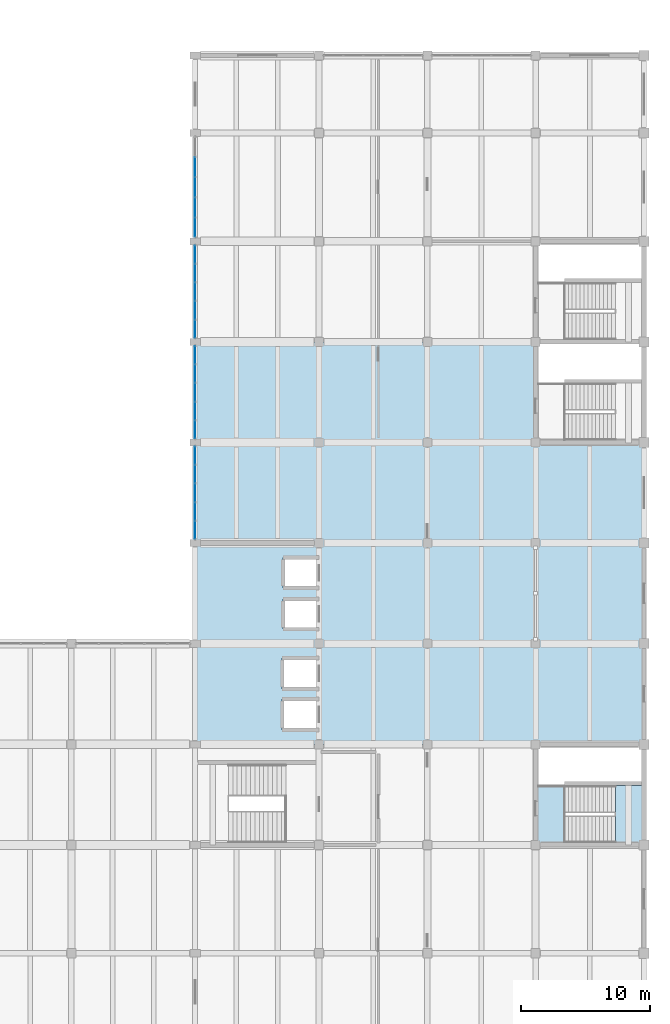
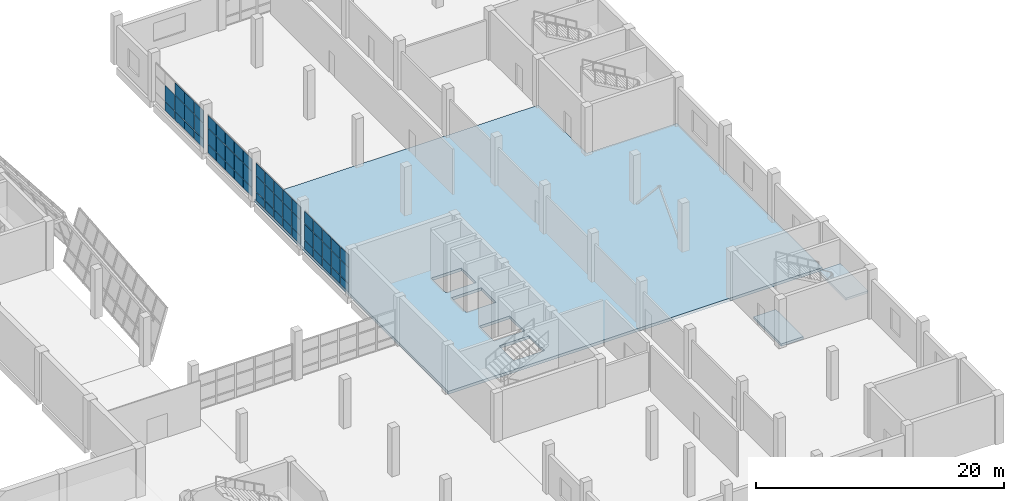
# One storey, part 73 of 91: 56 plates, 3 slabs, 5 elements without a shape of their own.
"""IFC4 building model written with IfcOpenShell, lengths in metres."""

from ifc_helpers import new_model, si_unit, direction, frame, origin, place, context, subcontext, project, spatial, polyline, outline, extrude, material, layer, layer_set, type_object, element, aggregate, save


model = new_model("IFC4")

# Units and contexts
model_context = context("Model", 3, precision=1e-05, world=origin(), true_north=direction((0.0, 1.0)))
body_context = subcontext(model_context, "Body", "Model", "MODEL_VIEW")
ifc_project = project(units=[si_unit("LENGTHUNIT", "METRE"), si_unit("AREAUNIT", "SQUARE_METRE"), si_unit("VOLUMEUNIT", "CUBIC_METRE"), si_unit("PLANEANGLEUNIT", "RADIAN"), si_unit("MASSUNIT", "GRAM", prefix="KILO")], contexts=[model_context])

# Site, building, storey
site_placement = place(None, origin())
site = spatial("IfcSite", under=ifc_project, at=site_placement, CompositionType="ELEMENT")
building_placement = place(site_placement, origin())
building = spatial("IfcBuilding", under=site, at=building_placement, Name="Pellamere Symphony Hall", CompositionType="ELEMENT")
storey_placement = place(building_placement, frame((0.0, 0.0, 5.39990234375)))
storey = spatial("IfcBuildingStorey", under=building, at=storey_placement, Name="L01", CompositionType="ELEMENT", Elevation=5.39990234375)

# Curtain wall, plates
ifc_material_1 = material(Name="Thermally Broken Anodised Aluminium 6063-T6 Curtain Wall", Category="aluminium")
curtain_wall_type = type_object("IfcCurtainWallType", Name="Curtain Wall CW-05 (Artists Wing North Studio Ribbon Curtain Wall)", PredefinedType="NOTDEFINED", material=ifc_material_1)
curtain_wall_1_placement = place(storey_placement, origin())
curtain_wall_1 = element("IfcCurtainWall", 1, at=curtain_wall_1_placement, inside=storey, type_object=curtain_wall_type, Name="Sculpture Court East Wing Curtain Wall (L01 Bay 1)", PredefinedType="NOTDEFINED")
ifc_material_2 = material(Name="Triple Low-E Argon Acoustic Glazing 36mm", Category="glass")
ifc_layer_1 = layer(ifc_material_2, 0.035888671875, Name="Triple Low-E Argon Acoustic Glazing 36mm")
ifc_layer_set_1 = layer_set([ifc_layer_1], Name="Triple Low-E Argon Acoustic Glazing 36mm")
plate_type = type_object("IfcPlateType", Name="Facade Panel GL-01 36mm", PredefinedType="CURTAIN_PANEL", material=ifc_layer_set_1)
plate_1_placement = place(storey_placement, frame((138.0, 62.135009765625, 0.06005859375), z_axis=(1.0, 0.0, 0.0), x_axis=(0.0, 1.0, 0.0)))
plate_1 = element("IfcPlate", 2, at=plate_1_placement, type_object=plate_type, Name="CW5-132 crystal glass panel 1.1", PredefinedType="CURTAIN_PANEL", context=body_context, shape_type="SweptSolid", body=[
    extrude(outline(polyline([(0.0, 0.0), (1.360107421875, 0.0), (1.360107421875, 0.822021484375), (0.0, 0.822021484375), (0.0, 0.0)])), origin(), (0.0, 0.0, -1.0), 0.035888671875),
])
plate_2_placement = place(storey_placement, frame((138.0, 62.135009765625, 0.942138671875), z_axis=(1.0, 0.0, 0.0), x_axis=(0.0, 1.0, 0.0)))
plate_2 = element("IfcPlate", 3, at=plate_2_placement, type_object=plate_type, Name="CW5-132 crystal glass panel 1.2", PredefinedType="CURTAIN_PANEL", context=body_context, shape_type="SweptSolid", body=[
    extrude(outline(polyline([(0.0, 0.0), (1.360107421875, 0.0), (1.360107421875, 1.535888671875), (0.0, 1.535888671875), (0.0, 0.0)])), origin(), (0.0, 0.0, -1.0), 0.035888671875),
])
plate_3_placement = place(storey_placement, frame((138.0, 62.135009765625, 2.5380859375), z_axis=(1.0, 0.0, 0.0), x_axis=(0.0, 1.0, 0.0)))
plate_3 = element("IfcPlate", 4, at=plate_3_placement, type_object=plate_type, Name="CW5-132 crystal glass panel 1.3", PredefinedType="CURTAIN_PANEL", context=body_context, shape_type="SweptSolid", body=[
    extrude(outline(polyline([(0.0, 0.0), (1.360107421875, 0.0), (1.360107421875, 1.201904296875), (0.0, 1.201904296875), (0.0, 0.0)])), origin(), (0.0, 0.0, -1.0), 0.035888671875),
])
plate_4_placement = place(storey_placement, frame((138.0, 63.554931640625, 0.06005859375), z_axis=(1.0, 0.0, 0.0), x_axis=(0.0, 1.0, 0.0)))
plate_4 = element("IfcPlate", 5, at=plate_4_placement, type_object=plate_type, Name="CW5-132 crystal glass panel 2.1", PredefinedType="CURTAIN_PANEL", context=body_context, shape_type="SweptSolid", body=[
    extrude(outline(polyline([(0.0, 0.0), (1.39013671875, 0.0), (1.39013671875, 0.822021484375), (0.0, 0.822021484375), (0.0, 0.0)])), origin(), (0.0, 0.0, -1.0), 0.035888671875),
])
plate_5_placement = place(storey_placement, frame((138.0, 63.554931640625, 0.942138671875), z_axis=(1.0, 0.0, 0.0), x_axis=(0.0, 1.0, 0.0)))
plate_5 = element("IfcPlate", 6, at=plate_5_placement, type_object=plate_type, Name="CW5-132 crystal glass panel 2.2", PredefinedType="CURTAIN_PANEL", context=body_context, shape_type="SweptSolid", body=[
    extrude(outline(polyline([(0.0, 0.0), (1.39013671875, 0.0), (1.39013671875, 1.535888671875), (0.0, 1.535888671875), (0.0, 0.0)])), origin(), (0.0, 0.0, -1.0), 0.035888671875),
])
plate_6_placement = place(storey_placement, frame((138.0, 63.554931640625, 2.5380859375), z_axis=(1.0, 0.0, 0.0), x_axis=(0.0, 1.0, 0.0)))
plate_6 = element("IfcPlate", 7, at=plate_6_placement, type_object=plate_type, Name="CW5-132 crystal glass panel 2.3", PredefinedType="CURTAIN_PANEL", context=body_context, shape_type="SweptSolid", body=[
    extrude(outline(polyline([(0.0, 0.0), (1.39013671875, 0.0), (1.39013671875, 1.201904296875), (0.0, 1.201904296875), (0.0, 0.0)])), origin(), (0.0, 0.0, -1.0), 0.035888671875),
])
plate_7_placement = place(storey_placement, frame((138.0, 65.0048828125, 0.06005859375), z_axis=(1.0, 0.0, 0.0), x_axis=(0.0, 1.0, 0.0)))
plate_7 = element("IfcPlate", 8, at=plate_7_placement, type_object=plate_type, Name="CW5-132 crystal glass panel 3.1", PredefinedType="CURTAIN_PANEL", context=body_context, shape_type="SweptSolid", body=[
    extrude(outline(polyline([(0.0, 0.0), (1.39013671875, 0.0), (1.39013671875, 0.822021484375), (0.0, 0.822021484375), (0.0, 0.0)])), origin(), (0.0, 0.0, -1.0), 0.035888671875),
])
plate_8_placement = place(storey_placement, frame((138.0, 65.0048828125, 0.942138671875), z_axis=(1.0, 0.0, 0.0), x_axis=(0.0, 1.0, 0.0)))
plate_8 = element("IfcPlate", 9, at=plate_8_placement, type_object=plate_type, Name="CW5-132 crystal glass panel 3.2", PredefinedType="CURTAIN_PANEL", context=body_context, shape_type="SweptSolid", body=[
    extrude(outline(polyline([(0.0, 0.0), (1.39013671875, 0.0), (1.39013671875, 1.535888671875), (0.0, 1.535888671875), (0.0, 0.0)])), origin(), (0.0, 0.0, -1.0), 0.035888671875),
])
plate_9_placement = place(storey_placement, frame((138.0, 65.0048828125, 2.5380859375), z_axis=(1.0, 0.0, 0.0), x_axis=(0.0, 1.0, 0.0)))
plate_9 = element("IfcPlate", 10, at=plate_9_placement, type_object=plate_type, Name="CW5-132 crystal glass panel 3.3", PredefinedType="CURTAIN_PANEL", context=body_context, shape_type="SweptSolid", body=[
    extrude(outline(polyline([(0.0, 0.0), (1.39013671875, 0.0), (1.39013671875, 1.201904296875), (0.0, 1.201904296875), (0.0, 0.0)])), origin(), (0.0, 0.0, -1.0), 0.035888671875),
])
plate_10_placement = place(storey_placement, frame((138.0, 66.455078125, 0.06005859375), z_axis=(1.0, 0.0, 0.0), x_axis=(0.0, 1.0, 0.0)))
plate_10 = element("IfcPlate", 11, at=plate_10_placement, type_object=plate_type, Name="CW5-132 crystal glass panel 4.1", PredefinedType="CURTAIN_PANEL", context=body_context, shape_type="SweptSolid", body=[
    extrude(outline(polyline([(0.0, 0.0), (1.389892578125, 0.0), (1.389892578125, 0.822021484375), (0.0, 0.822021484375), (0.0, 0.0)])), origin(), (0.0, 0.0, -1.0), 0.035888671875),
])
plate_11_placement = place(storey_placement, frame((138.0, 66.455078125, 0.942138671875), z_axis=(1.0, 0.0, 0.0), x_axis=(0.0, 1.0, 0.0)))
plate_11 = element("IfcPlate", 12, at=plate_11_placement, type_object=plate_type, Name="CW5-132 crystal glass panel 4.2", PredefinedType="CURTAIN_PANEL", context=body_context, shape_type="SweptSolid", body=[
    extrude(outline(polyline([(0.0, 0.0), (1.389892578125, 0.0), (1.389892578125, 1.535888671875), (0.0, 1.535888671875), (0.0, 0.0)])), origin(), (0.0, 0.0, -1.0), 0.035888671875),
])
plate_12_placement = place(storey_placement, frame((138.0, 66.455078125, 2.5380859375), z_axis=(1.0, 0.0, 0.0), x_axis=(0.0, 1.0, 0.0)))
plate_12 = element("IfcPlate", 13, at=plate_12_placement, type_object=plate_type, Name="CW5-132 crystal glass panel 4.3", PredefinedType="CURTAIN_PANEL", context=body_context, shape_type="SweptSolid", body=[
    extrude(outline(polyline([(0.0, 0.0), (1.389892578125, 0.0), (1.389892578125, 1.201904296875), (0.0, 1.201904296875), (0.0, 0.0)])), origin(), (0.0, 0.0, -1.0), 0.035888671875),
])
plate_13_placement = place(storey_placement, frame((138.0, 67.905029296875, 0.06005859375), z_axis=(1.0, 0.0, 0.0), x_axis=(0.0, 1.0, 0.0)))
plate_13 = element("IfcPlate", 14, at=plate_13_placement, type_object=plate_type, Name="CW5-132 crystal glass panel 5.1", PredefinedType="CURTAIN_PANEL", context=body_context, shape_type="SweptSolid", body=[
    extrude(outline(polyline([(0.0, 0.0), (1.35986328125, 0.0), (1.35986328125, 0.822021484375), (0.0, 0.822021484375), (0.0, 0.0)])), origin(), (0.0, 0.0, -1.0), 0.035888671875),
])
plate_14_placement = place(storey_placement, frame((138.0, 67.905029296875, 0.942138671875), z_axis=(1.0, 0.0, 0.0), x_axis=(0.0, 1.0, 0.0)))
plate_14 = element("IfcPlate", 15, at=plate_14_placement, type_object=plate_type, Name="CW5-132 crystal glass panel 5.2", PredefinedType="CURTAIN_PANEL", context=body_context, shape_type="SweptSolid", body=[
    extrude(outline(polyline([(0.0, 0.0), (1.35986328125, 0.0), (1.35986328125, 1.535888671875), (0.0, 1.535888671875), (0.0, 0.0)])), origin(), (0.0, 0.0, -1.0), 0.035888671875),
])
plate_15_placement = place(storey_placement, frame((138.0, 67.905029296875, 2.5380859375), z_axis=(1.0, 0.0, 0.0), x_axis=(0.0, 1.0, 0.0)))
plate_15 = element("IfcPlate", 16, at=plate_15_placement, type_object=plate_type, Name="CW5-132 crystal glass panel 5.3", PredefinedType="CURTAIN_PANEL", context=body_context, shape_type="SweptSolid", body=[
    extrude(outline(polyline([(0.0, 0.0), (1.35986328125, 0.0), (1.35986328125, 1.201904296875), (0.0, 1.201904296875), (0.0, 0.0)])), origin(), (0.0, 0.0, -1.0), 0.035888671875),
])
aggregate(curtain_wall_1, [plate_1, plate_2, plate_3, plate_4, plate_5, plate_6, plate_7, plate_8, plate_9, plate_10, plate_11, plate_12, plate_13, plate_14, plate_15])

curtain_wall_2_placement = place(storey_placement, origin())
curtain_wall_2 = element("IfcCurtainWall", 17, at=curtain_wall_2_placement, inside=storey, type_object=curtain_wall_type, Name="Sculpture Court East Wing Curtain Wall (L01 Bay 2)", PredefinedType="NOTDEFINED")
plate_16_placement = place(storey_placement, frame((138.0, 69.93505859375, 0.06005859375), z_axis=(1.0, 0.0, 0.0), x_axis=(0.0, 1.0, 0.0)))
plate_16 = element("IfcPlate", 18, at=plate_16_placement, type_object=plate_type, Name="CW5-133 crystal glass panel 1.1", PredefinedType="CURTAIN_PANEL", context=body_context, shape_type="SweptSolid", body=[
    extrude(outline(polyline([(0.0, 0.0), (1.35986328125, 0.0), (1.35986328125, 0.822021484375), (0.0, 0.822021484375), (0.0, 0.0)])), origin(), (0.0, 0.0, -1.0), 0.035888671875),
])
plate_17_placement = place(storey_placement, frame((138.0, 69.93505859375, 0.942138671875), z_axis=(1.0, 0.0, 0.0), x_axis=(0.0, 1.0, 0.0)))
plate_17 = element("IfcPlate", 19, at=plate_17_placement, type_object=plate_type, Name="CW5-133 crystal glass panel 1.2", PredefinedType="CURTAIN_PANEL", context=body_context, shape_type="SweptSolid", body=[
    extrude(outline(polyline([(0.0, 0.0), (1.35986328125, 0.0), (1.35986328125, 1.535888671875), (0.0, 1.535888671875), (0.0, 0.0)])), origin(), (0.0, 0.0, -1.0), 0.035888671875),
])
plate_18_placement = place(storey_placement, frame((138.0, 69.93505859375, 2.5380859375), z_axis=(1.0, 0.0, 0.0), x_axis=(0.0, 1.0, 0.0)))
plate_18 = element("IfcPlate", 20, at=plate_18_placement, type_object=plate_type, Name="CW5-133 crystal glass panel 1.3", PredefinedType="CURTAIN_PANEL", context=body_context, shape_type="SweptSolid", body=[
    extrude(outline(polyline([(0.0, 0.0), (1.35986328125, 0.0), (1.35986328125, 1.201904296875), (0.0, 1.201904296875), (0.0, 0.0)])), origin(), (0.0, 0.0, -1.0), 0.035888671875),
])
plate_19_placement = place(storey_placement, frame((138.0, 71.35498046875, 0.06005859375), z_axis=(1.0, 0.0, 0.0), x_axis=(0.0, 1.0, 0.0)))
plate_19 = element("IfcPlate", 21, at=plate_19_placement, type_object=plate_type, Name="CW5-133 crystal glass panel 2.1", PredefinedType="CURTAIN_PANEL", context=body_context, shape_type="SweptSolid", body=[
    extrude(outline(polyline([(0.0, 0.0), (1.39013671875, 0.0), (1.39013671875, 0.822021484375), (0.0, 0.822021484375), (0.0, 0.0)])), origin(), (0.0, 0.0, -1.0), 0.035888671875),
])
plate_20_placement = place(storey_placement, frame((138.0, 71.35498046875, 0.942138671875), z_axis=(1.0, 0.0, 0.0), x_axis=(0.0, 1.0, 0.0)))
plate_20 = element("IfcPlate", 22, at=plate_20_placement, type_object=plate_type, Name="CW5-133 crystal glass panel 2.2", PredefinedType="CURTAIN_PANEL", context=body_context, shape_type="SweptSolid", body=[
    extrude(outline(polyline([(0.0, 0.0), (1.39013671875, 0.0), (1.39013671875, 1.535888671875), (0.0, 1.535888671875), (0.0, 0.0)])), origin(), (0.0, 0.0, -1.0), 0.035888671875),
])
plate_21_placement = place(storey_placement, frame((138.0, 71.35498046875, 2.5380859375), z_axis=(1.0, 0.0, 0.0), x_axis=(0.0, 1.0, 0.0)))
plate_21 = element("IfcPlate", 23, at=plate_21_placement, type_object=plate_type, Name="CW5-133 crystal glass panel 2.3", PredefinedType="CURTAIN_PANEL", context=body_context, shape_type="SweptSolid", body=[
    extrude(outline(polyline([(0.0, 0.0), (1.39013671875, 0.0), (1.39013671875, 1.201904296875), (0.0, 1.201904296875), (0.0, 0.0)])), origin(), (0.0, 0.0, -1.0), 0.035888671875),
])
plate_22_placement = place(storey_placement, frame((138.0, 72.804931640625, 0.06005859375), z_axis=(1.0, 0.0, 0.0), x_axis=(0.0, 1.0, 0.0)))
plate_22 = element("IfcPlate", 24, at=plate_22_placement, type_object=plate_type, Name="CW5-133 crystal glass panel 3.1", PredefinedType="CURTAIN_PANEL", context=body_context, shape_type="SweptSolid", body=[
    extrude(outline(polyline([(0.0, 0.0), (1.39013671875, 0.0), (1.39013671875, 0.822021484375), (0.0, 0.822021484375), (0.0, 0.0)])), origin(), (0.0, 0.0, -1.0), 0.035888671875),
])
plate_23_placement = place(storey_placement, frame((138.0, 72.804931640625, 0.942138671875), z_axis=(1.0, 0.0, 0.0), x_axis=(0.0, 1.0, 0.0)))
plate_23 = element("IfcPlate", 25, at=plate_23_placement, type_object=plate_type, Name="CW5-133 crystal glass panel 3.2", PredefinedType="CURTAIN_PANEL", context=body_context, shape_type="SweptSolid", body=[
    extrude(outline(polyline([(0.0, 0.0), (1.39013671875, 0.0), (1.39013671875, 1.535888671875), (0.0, 1.535888671875), (0.0, 0.0)])), origin(), (0.0, 0.0, -1.0), 0.035888671875),
])
plate_24_placement = place(storey_placement, frame((138.0, 72.804931640625, 2.5380859375), z_axis=(1.0, 0.0, 0.0), x_axis=(0.0, 1.0, 0.0)))
plate_24 = element("IfcPlate", 26, at=plate_24_placement, type_object=plate_type, Name="CW5-133 crystal glass panel 3.3", PredefinedType="CURTAIN_PANEL", context=body_context, shape_type="SweptSolid", body=[
    extrude(outline(polyline([(0.0, 0.0), (1.39013671875, 0.0), (1.39013671875, 1.201904296875), (0.0, 1.201904296875), (0.0, 0.0)])), origin(), (0.0, 0.0, -1.0), 0.035888671875),
])
plate_25_placement = place(storey_placement, frame((138.0, 74.2548828125, 0.06005859375), z_axis=(1.0, 0.0, 0.0), x_axis=(0.0, 1.0, 0.0)))
plate_25 = element("IfcPlate", 27, at=plate_25_placement, type_object=plate_type, Name="CW5-133 crystal glass panel 4.1", PredefinedType="CURTAIN_PANEL", context=body_context, shape_type="SweptSolid", body=[
    extrude(outline(polyline([(0.0, 0.0), (1.39013671875, 0.0), (1.39013671875, 0.822021484375), (0.0, 0.822021484375), (0.0, 0.0)])), origin(), (0.0, 0.0, -1.0), 0.035888671875),
])
plate_26_placement = place(storey_placement, frame((138.0, 74.2548828125, 0.942138671875), z_axis=(1.0, 0.0, 0.0), x_axis=(0.0, 1.0, 0.0)))
plate_26 = element("IfcPlate", 28, at=plate_26_placement, type_object=plate_type, Name="CW5-133 crystal glass panel 4.2", PredefinedType="CURTAIN_PANEL", context=body_context, shape_type="SweptSolid", body=[
    extrude(outline(polyline([(0.0, 0.0), (1.39013671875, 0.0), (1.39013671875, 1.535888671875), (0.0, 1.535888671875), (0.0, 0.0)])), origin(), (0.0, 0.0, -1.0), 0.035888671875),
])
plate_27_placement = place(storey_placement, frame((138.0, 74.2548828125, 2.5380859375), z_axis=(1.0, 0.0, 0.0), x_axis=(0.0, 1.0, 0.0)))
plate_27 = element("IfcPlate", 29, at=plate_27_placement, type_object=plate_type, Name="CW5-133 crystal glass panel 4.3", PredefinedType="CURTAIN_PANEL", context=body_context, shape_type="SweptSolid", body=[
    extrude(outline(polyline([(0.0, 0.0), (1.39013671875, 0.0), (1.39013671875, 1.201904296875), (0.0, 1.201904296875), (0.0, 0.0)])), origin(), (0.0, 0.0, -1.0), 0.035888671875),
])
plate_28_placement = place(storey_placement, frame((138.0, 75.705078125, 0.06005859375), z_axis=(1.0, 0.0, 0.0), x_axis=(0.0, 1.0, 0.0)))
plate_28 = element("IfcPlate", 30, at=plate_28_placement, type_object=plate_type, Name="CW5-133 crystal glass panel 5.1", PredefinedType="CURTAIN_PANEL", context=body_context, shape_type="SweptSolid", body=[
    extrude(outline(polyline([(0.0, 0.0), (1.35986328125, 0.0), (1.35986328125, 0.822021484375), (0.0, 0.822021484375), (0.0, 0.0)])), origin(), (0.0, 0.0, -1.0), 0.035888671875),
])
plate_29_placement = place(storey_placement, frame((138.0, 75.705078125, 0.942138671875), z_axis=(1.0, 0.0, 0.0), x_axis=(0.0, 1.0, 0.0)))
plate_29 = element("IfcPlate", 31, at=plate_29_placement, type_object=plate_type, Name="CW5-133 crystal glass panel 5.2", PredefinedType="CURTAIN_PANEL", context=body_context, shape_type="SweptSolid", body=[
    extrude(outline(polyline([(0.0, 0.0), (1.35986328125, 0.0), (1.35986328125, 1.535888671875), (0.0, 1.535888671875), (0.0, 0.0)])), origin(), (0.0, 0.0, -1.0), 0.035888671875),
])
plate_30_placement = place(storey_placement, frame((138.0, 75.705078125, 2.5380859375), z_axis=(1.0, 0.0, 0.0), x_axis=(0.0, 1.0, 0.0)))
plate_30 = element("IfcPlate", 32, at=plate_30_placement, type_object=plate_type, Name="CW5-133 crystal glass panel 5.3", PredefinedType="CURTAIN_PANEL", context=body_context, shape_type="SweptSolid", body=[
    extrude(outline(polyline([(0.0, 0.0), (1.35986328125, 0.0), (1.35986328125, 1.201904296875), (0.0, 1.201904296875), (0.0, 0.0)])), origin(), (0.0, 0.0, -1.0), 0.035888671875),
])
aggregate(curtain_wall_2, [plate_16, plate_17, plate_18, plate_19, plate_20, plate_21, plate_22, plate_23, plate_24, plate_25, plate_26, plate_27, plate_28, plate_29, plate_30])

curtain_wall_3_placement = place(storey_placement, origin())
curtain_wall_3 = element("IfcCurtainWall", 33, at=curtain_wall_3_placement, inside=storey, type_object=curtain_wall_type, Name="Sculpture Court East Wing Curtain Wall (L01 Bay 3)", PredefinedType="NOTDEFINED")
plate_31_placement = place(storey_placement, frame((138.0, 77.735107421875, 0.06005859375), z_axis=(1.0, 0.0, 0.0), x_axis=(0.0, 1.0, 0.0)))
plate_31 = element("IfcPlate", 34, at=plate_31_placement, type_object=plate_type, Name="CW5-134 crystal glass panel 1.1", PredefinedType="CURTAIN_PANEL", context=body_context, shape_type="SweptSolid", body=[
    extrude(outline(polyline([(0.0, 0.0), (1.35986328125, 0.0), (1.35986328125, 0.822021484375), (0.0, 0.822021484375), (0.0, 0.0)])), origin(), (0.0, 0.0, -1.0), 0.035888671875),
])
plate_32_placement = place(storey_placement, frame((138.0, 77.735107421875, 0.942138671875), z_axis=(1.0, 0.0, 0.0), x_axis=(0.0, 1.0, 0.0)))
plate_32 = element("IfcPlate", 35, at=plate_32_placement, type_object=plate_type, Name="CW5-134 crystal glass panel 1.2", PredefinedType="CURTAIN_PANEL", context=body_context, shape_type="SweptSolid", body=[
    extrude(outline(polyline([(0.0, 0.0), (1.35986328125, 0.0), (1.35986328125, 1.535888671875), (0.0, 1.535888671875), (0.0, 0.0)])), origin(), (0.0, 0.0, -1.0), 0.035888671875),
])
plate_33_placement = place(storey_placement, frame((138.0, 77.735107421875, 2.5380859375), z_axis=(1.0, 0.0, 0.0), x_axis=(0.0, 1.0, 0.0)))
plate_33 = element("IfcPlate", 36, at=plate_33_placement, type_object=plate_type, Name="CW5-134 crystal glass panel 1.3", PredefinedType="CURTAIN_PANEL", context=body_context, shape_type="SweptSolid", body=[
    extrude(outline(polyline([(0.0, 0.0), (1.35986328125, 0.0), (1.35986328125, 1.201904296875), (0.0, 1.201904296875), (0.0, 0.0)])), origin(), (0.0, 0.0, -1.0), 0.035888671875),
])
plate_34_placement = place(storey_placement, frame((138.0, 79.155029296875, 0.06005859375), z_axis=(1.0, 0.0, 0.0), x_axis=(0.0, 1.0, 0.0)))
plate_34 = element("IfcPlate", 37, at=plate_34_placement, type_object=plate_type, Name="CW5-134 crystal glass panel 2.1", PredefinedType="CURTAIN_PANEL", context=body_context, shape_type="SweptSolid", body=[
    extrude(outline(polyline([(0.0, 0.0), (1.389892578125, 0.0), (1.389892578125, 0.822021484375), (0.0, 0.822021484375), (0.0, 0.0)])), origin(), (0.0, 0.0, -1.0), 0.035888671875),
])
plate_35_placement = place(storey_placement, frame((138.0, 79.155029296875, 0.942138671875), z_axis=(1.0, 0.0, 0.0), x_axis=(0.0, 1.0, 0.0)))
plate_35 = element("IfcPlate", 38, at=plate_35_placement, type_object=plate_type, Name="CW5-134 crystal glass panel 2.2", PredefinedType="CURTAIN_PANEL", context=body_context, shape_type="SweptSolid", body=[
    extrude(outline(polyline([(0.0, 0.0), (1.389892578125, 0.0), (1.389892578125, 1.535888671875), (0.0, 1.535888671875), (0.0, 0.0)])), origin(), (0.0, 0.0, -1.0), 0.035888671875),
])
plate_36_placement = place(storey_placement, frame((138.0, 79.155029296875, 2.5380859375), z_axis=(1.0, 0.0, 0.0), x_axis=(0.0, 1.0, 0.0)))
plate_36 = element("IfcPlate", 39, at=plate_36_placement, type_object=plate_type, Name="CW5-134 crystal glass panel 2.3", PredefinedType="CURTAIN_PANEL", context=body_context, shape_type="SweptSolid", body=[
    extrude(outline(polyline([(0.0, 0.0), (1.389892578125, 0.0), (1.389892578125, 1.201904296875), (0.0, 1.201904296875), (0.0, 0.0)])), origin(), (0.0, 0.0, -1.0), 0.035888671875),
])
plate_37_placement = place(storey_placement, frame((138.0, 80.60498046875, 0.06005859375), z_axis=(1.0, 0.0, 0.0), x_axis=(0.0, 1.0, 0.0)))
plate_37 = element("IfcPlate", 40, at=plate_37_placement, type_object=plate_type, Name="CW5-134 crystal glass panel 3.1", PredefinedType="CURTAIN_PANEL", context=body_context, shape_type="SweptSolid", body=[
    extrude(outline(polyline([(0.0, 0.0), (1.39013671875, 0.0), (1.39013671875, 0.822021484375), (0.0, 0.822021484375), (0.0, 0.0)])), origin(), (0.0, 0.0, -1.0), 0.035888671875),
])
plate_38_placement = place(storey_placement, frame((138.0, 80.60498046875, 0.942138671875), z_axis=(1.0, 0.0, 0.0), x_axis=(0.0, 1.0, 0.0)))
plate_38 = element("IfcPlate", 41, at=plate_38_placement, type_object=plate_type, Name="CW5-134 crystal glass panel 3.2", PredefinedType="CURTAIN_PANEL", context=body_context, shape_type="SweptSolid", body=[
    extrude(outline(polyline([(0.0, 0.0), (1.39013671875, 0.0), (1.39013671875, 1.535888671875), (0.0, 1.535888671875), (0.0, 0.0)])), origin(), (0.0, 0.0, -1.0), 0.035888671875),
])
plate_39_placement = place(storey_placement, frame((138.0, 80.60498046875, 2.5380859375), z_axis=(1.0, 0.0, 0.0), x_axis=(0.0, 1.0, 0.0)))
plate_39 = element("IfcPlate", 42, at=plate_39_placement, type_object=plate_type, Name="CW5-134 crystal glass panel 3.3", PredefinedType="CURTAIN_PANEL", context=body_context, shape_type="SweptSolid", body=[
    extrude(outline(polyline([(0.0, 0.0), (1.39013671875, 0.0), (1.39013671875, 1.201904296875), (0.0, 1.201904296875), (0.0, 0.0)])), origin(), (0.0, 0.0, -1.0), 0.035888671875),
])
plate_40_placement = place(storey_placement, frame((138.0, 82.054931640625, 0.06005859375), z_axis=(1.0, 0.0, 0.0), x_axis=(0.0, 1.0, 0.0)))
plate_40 = element("IfcPlate", 43, at=plate_40_placement, type_object=plate_type, Name="CW5-134 crystal glass panel 4.1", PredefinedType="CURTAIN_PANEL", context=body_context, shape_type="SweptSolid", body=[
    extrude(outline(polyline([(0.0, 0.0), (1.39013671875, 0.0), (1.39013671875, 0.822021484375), (0.0, 0.822021484375), (0.0, 0.0)])), origin(), (0.0, 0.0, -1.0), 0.035888671875),
])
plate_41_placement = place(storey_placement, frame((138.0, 82.054931640625, 0.942138671875), z_axis=(1.0, 0.0, 0.0), x_axis=(0.0, 1.0, 0.0)))
plate_41 = element("IfcPlate", 44, at=plate_41_placement, type_object=plate_type, Name="CW5-134 crystal glass panel 4.2", PredefinedType="CURTAIN_PANEL", context=body_context, shape_type="SweptSolid", body=[
    extrude(outline(polyline([(0.0, 0.0), (1.39013671875, 0.0), (1.39013671875, 1.535888671875), (0.0, 1.535888671875), (0.0, 0.0)])), origin(), (0.0, 0.0, -1.0), 0.035888671875),
])
plate_42_placement = place(storey_placement, frame((138.0, 82.054931640625, 2.5380859375), z_axis=(1.0, 0.0, 0.0), x_axis=(0.0, 1.0, 0.0)))
plate_42 = element("IfcPlate", 45, at=plate_42_placement, type_object=plate_type, Name="CW5-134 crystal glass panel 4.3", PredefinedType="CURTAIN_PANEL", context=body_context, shape_type="SweptSolid", body=[
    extrude(outline(polyline([(0.0, 0.0), (1.39013671875, 0.0), (1.39013671875, 1.201904296875), (0.0, 1.201904296875), (0.0, 0.0)])), origin(), (0.0, 0.0, -1.0), 0.035888671875),
])
plate_43_placement = place(storey_placement, frame((138.0, 83.5048828125, 0.06005859375), z_axis=(1.0, 0.0, 0.0), x_axis=(0.0, 1.0, 0.0)))
plate_43 = element("IfcPlate", 46, at=plate_43_placement, type_object=plate_type, Name="CW5-134 crystal glass panel 5.1", PredefinedType="CURTAIN_PANEL", context=body_context, shape_type="SweptSolid", body=[
    extrude(outline(polyline([(0.0, 0.0), (1.360107421875, 0.0), (1.360107421875, 0.822021484375), (0.0, 0.822021484375), (0.0, 0.0)])), origin(), (0.0, 0.0, -1.0), 0.035888671875),
])
plate_44_placement = place(storey_placement, frame((138.0, 83.5048828125, 0.942138671875), z_axis=(1.0, 0.0, 0.0), x_axis=(0.0, 1.0, 0.0)))
plate_44 = element("IfcPlate", 47, at=plate_44_placement, type_object=plate_type, Name="CW5-134 crystal glass panel 5.2", PredefinedType="CURTAIN_PANEL", context=body_context, shape_type="SweptSolid", body=[
    extrude(outline(polyline([(0.0, 0.0), (1.360107421875, 0.0), (1.360107421875, 1.535888671875), (0.0, 1.535888671875), (0.0, 0.0)])), origin(), (0.0, 0.0, -1.0), 0.035888671875),
])
plate_45_placement = place(storey_placement, frame((138.0, 83.5048828125, 2.5380859375), z_axis=(1.0, 0.0, 0.0), x_axis=(0.0, 1.0, 0.0)))
plate_45 = element("IfcPlate", 48, at=plate_45_placement, type_object=plate_type, Name="CW5-134 crystal glass panel 5.3", PredefinedType="CURTAIN_PANEL", context=body_context, shape_type="SweptSolid", body=[
    extrude(outline(polyline([(0.0, 0.0), (1.360107421875, 0.0), (1.360107421875, 1.201904296875), (0.0, 1.201904296875), (0.0, 0.0)])), origin(), (0.0, 0.0, -1.0), 0.035888671875),
])
aggregate(curtain_wall_3, [plate_31, plate_32, plate_33, plate_34, plate_35, plate_36, plate_37, plate_38, plate_39, plate_40, plate_41, plate_42, plate_43, plate_44, plate_45])

curtain_wall_4_placement = place(storey_placement, origin())
curtain_wall_4 = element("IfcCurtainWall", 49, at=curtain_wall_4_placement, inside=storey, type_object=curtain_wall_type, Name="Sculpture Court East Wing Curtain Wall (L01 Bay 4)", PredefinedType="NOTDEFINED")
plate_46_placement = place(storey_placement, frame((138.0, 85.534912109375, 0.06005859375), z_axis=(1.0, 0.0, 0.0), x_axis=(0.0, 1.0, 0.0)))
plate_46 = element("IfcPlate", 50, at=plate_46_placement, type_object=plate_type, Name="CW5-135 crystal glass panel 1.1", PredefinedType="CURTAIN_PANEL", context=body_context, shape_type="SweptSolid", body=[
    extrude(outline(polyline([(0.0, 0.0), (1.47998046875, 0.0), (1.47998046875, 0.822021484375), (0.0, 0.822021484375), (0.0, 0.0)])), origin(), (0.0, 0.0, -1.0), 0.035888671875),
])
plate_47_placement = place(storey_placement, frame((138.0, 85.534912109375, 0.942138671875), z_axis=(1.0, 0.0, 0.0), x_axis=(0.0, 1.0, 0.0)))
plate_47 = element("IfcPlate", 51, at=plate_47_placement, type_object=plate_type, Name="CW5-135 crystal glass panel 1.2", PredefinedType="CURTAIN_PANEL", context=body_context, shape_type="SweptSolid", body=[
    extrude(outline(polyline([(0.0, 0.0), (1.47998046875, 0.0), (1.47998046875, 1.535888671875), (0.0, 1.535888671875), (0.0, 0.0)])), origin(), (0.0, 0.0, -1.0), 0.035888671875),
])
plate_48_placement = place(storey_placement, frame((138.0, 85.534912109375, 2.5380859375), z_axis=(1.0, 0.0, 0.0), x_axis=(0.0, 1.0, 0.0)))
plate_48 = element("IfcPlate", 52, at=plate_48_placement, type_object=plate_type, Name="CW5-135 crystal glass panel 1.3", PredefinedType="CURTAIN_PANEL", context=body_context, shape_type="SweptSolid", body=[
    extrude(outline(polyline([(0.0, 0.0), (1.47998046875, 0.0), (1.47998046875, 1.201904296875), (0.0, 1.201904296875), (0.0, 0.0)])), origin(), (0.0, 0.0, -1.0), 0.035888671875),
])
plate_49_placement = place(storey_placement, frame((138.0, 87.074951171875, 0.06005859375), z_axis=(1.0, 0.0, 0.0), x_axis=(0.0, 1.0, 0.0)))
plate_49 = element("IfcPlate", 53, at=plate_49_placement, type_object=plate_type, Name="CW5-135 crystal glass panel 2.1", PredefinedType="CURTAIN_PANEL", context=body_context, shape_type="SweptSolid", body=[
    extrude(outline(polyline([(0.0, 0.0), (1.510009765625, 0.0), (1.510009765625, 0.822021484375), (0.0, 0.822021484375), (0.0, 0.0)])), origin(), (0.0, 0.0, -1.0), 0.035888671875),
])
plate_50_placement = place(storey_placement, frame((138.0, 87.074951171875, 0.942138671875), z_axis=(1.0, 0.0, 0.0), x_axis=(0.0, 1.0, 0.0)))
plate_50 = element("IfcPlate", 54, at=plate_50_placement, type_object=plate_type, Name="CW5-135 crystal glass panel 2.2", PredefinedType="CURTAIN_PANEL", context=body_context, shape_type="SweptSolid", body=[
    extrude(outline(polyline([(0.0, 0.0), (1.510009765625, 0.0), (1.510009765625, 1.535888671875), (0.0, 1.535888671875), (0.0, 0.0)])), origin(), (0.0, 0.0, -1.0), 0.035888671875),
])
plate_51_placement = place(storey_placement, frame((138.0, 87.074951171875, 2.5380859375), z_axis=(1.0, 0.0, 0.0), x_axis=(0.0, 1.0, 0.0)))
plate_51 = element("IfcPlate", 55, at=plate_51_placement, type_object=plate_type, Name="CW5-135 crystal glass panel 2.3", PredefinedType="CURTAIN_PANEL", context=body_context, shape_type="SweptSolid", body=[
    extrude(outline(polyline([(0.0, 0.0), (1.510009765625, 0.0), (1.510009765625, 1.201904296875), (0.0, 1.201904296875), (0.0, 0.0)])), origin(), (0.0, 0.0, -1.0), 0.035888671875),
])
plate_52_placement = place(storey_placement, frame((138.0, 88.64501953125, 0.06005859375), z_axis=(1.0, 0.0, 0.0), x_axis=(0.0, 1.0, 0.0)))
plate_52 = element("IfcPlate", 56, at=plate_52_placement, type_object=plate_type, Name="CW5-135 crystal glass panel 3.1", PredefinedType="CURTAIN_PANEL", context=body_context, shape_type="SweptSolid", body=[
    extrude(outline(polyline([(0.0, 0.0), (1.510009765625, 0.0), (1.510009765625, 0.822021484375), (0.0, 0.822021484375), (0.0, 0.0)])), origin(), (0.0, 0.0, -1.0), 0.035888671875),
])
plate_53_placement = place(storey_placement, frame((138.0, 88.64501953125, 0.942138671875), z_axis=(1.0, 0.0, 0.0), x_axis=(0.0, 1.0, 0.0)))
plate_53 = element("IfcPlate", 57, at=plate_53_placement, type_object=plate_type, Name="CW5-135 crystal glass panel 3.2", PredefinedType="CURTAIN_PANEL", context=body_context, shape_type="SweptSolid", body=[
    extrude(outline(polyline([(0.0, 0.0), (1.510009765625, 0.0), (1.510009765625, 1.535888671875), (0.0, 1.535888671875), (0.0, 0.0)])), origin(), (0.0, 0.0, -1.0), 0.035888671875),
])
plate_54_placement = place(storey_placement, frame((138.0, 88.64501953125, 2.5380859375), z_axis=(1.0, 0.0, 0.0), x_axis=(0.0, 1.0, 0.0)))
plate_54 = element("IfcPlate", 58, at=plate_54_placement, type_object=plate_type, Name="CW5-135 crystal glass panel 3.3", PredefinedType="CURTAIN_PANEL", context=body_context, shape_type="SweptSolid", body=[
    extrude(outline(polyline([(0.0, 0.0), (1.510009765625, 0.0), (1.510009765625, 1.201904296875), (0.0, 1.201904296875), (0.0, 0.0)])), origin(), (0.0, 0.0, -1.0), 0.035888671875),
])
plate_55_placement = place(storey_placement, frame((138.0, 90.215087890625, 0.06005859375), z_axis=(1.0, 0.0, 0.0), x_axis=(0.0, 1.0, 0.0)))
plate_55 = element("IfcPlate", 59, at=plate_55_placement, type_object=plate_type, Name="CW5-135 crystal glass panel 4.1", PredefinedType="CURTAIN_PANEL", context=body_context, shape_type="SweptSolid", body=[
    extrude(outline(polyline([(0.0, 0.0), (1.510009765625, 0.0), (1.510009765625, 0.822021484375), (0.0, 0.822021484375), (0.0, 0.0)])), origin(), (0.0, 0.0, -1.0), 0.035888671875),
])
plate_56_placement = place(storey_placement, frame((138.0, 90.215087890625, 0.942138671875), z_axis=(1.0, 0.0, 0.0), x_axis=(0.0, 1.0, 0.0)))
plate_56 = element("IfcPlate", 60, at=plate_56_placement, type_object=plate_type, Name="CW5-135 crystal glass panel 4.2", PredefinedType="CURTAIN_PANEL", context=body_context, shape_type="SweptSolid", body=[
    extrude(outline(polyline([(0.0, 0.0), (1.510009765625, 0.0), (1.510009765625, 1.535888671875), (0.0, 1.535888671875), (0.0, 0.0)])), origin(), (0.0, 0.0, -1.0), 0.035888671875),
])
aggregate(curtain_wall_4, [plate_46, plate_47, plate_48, plate_49, plate_50, plate_51, plate_52, plate_53, plate_54, plate_55, plate_56])

# Stair, slabs
ifc_material_3 = material(Name="Concrete 40 MPa", Category="concrete")
stair_type = type_object("IfcStairType", Name="Stair ST-B W2050", PredefinedType="HALF_TURN_STAIR", material=ifc_material_3)
stair_placement = place(storey_placement, origin())
stair = element("IfcStair", 61, at=stair_placement, inside=storey, type_object=stair_type, Name="Exit Stair ST06-L01 (L01 to L02)", PredefinedType="HALF_TURN_STAIR")
ifc_layer_2 = layer(ifc_material_3, 0.219970703125, Name="Concrete 40 MPa")
ifc_layer_set_2 = layer_set([ifc_layer_2], Name="Concrete 40 MPa")
slab_type_1 = type_object("IfcSlabType", Name="Stair Landing SL-01 220mm", PredefinedType="LANDING", material=ifc_layer_set_2)
slab_1_placement = place(storey_placement, frame((0.0, 0.0, -0.219970703125)))
slab_1 = element("IfcSlab", 62, at=slab_1_placement, type_object=slab_type_1, Name="Stair ST06-L01 Bottom Landing (L01)", PredefinedType="LANDING", context=body_context, shape_type="SweptSolid", body=[
    extrude(outline(polyline([(164.56005859375, 38.56005859375), (166.625, 38.56005859375), (166.625, 43.0), (164.56005859375, 43.0), (164.56005859375, 38.56005859375)])), origin(), (0.0, 0.0, 1.0), 0.219970703125),
])
slab_2_placement = place(storey_placement, frame((0.0, 0.0, 2.18017578125)))
slab_2 = element("IfcSlab", 63, at=slab_2_placement, type_object=slab_type_1, Name="Stair ST06-L01 Half Landing (L01)", PredefinedType="LANDING", context=body_context, shape_type="SweptSolid", body=[
    extrude(outline(polyline([(170.574951171875, 38.56005859375), (172.639892578125, 38.56005859375), (172.639892578125, 43.0), (170.574951171875, 43.0), (170.574951171875, 38.56005859375)])), origin(), (0.0, 0.0, 1.0), 0.219970703125),
])
aggregate(stair, [slab_1, slab_2])

# Slab
ifc_layer_3 = layer(ifc_material_3, 0.280029296875, Name="Concrete 40 MPa")
ifc_layer_set_3 = layer_set([ifc_layer_3], Name="Concrete 40 MPa")
slab_type_2 = type_object("IfcSlabType", Name="Structural Slab FS-03 280mm", PredefinedType="FLOOR", material=ifc_layer_set_3)
slab_3_placement = place(storey_placement, frame((0.0, 0.0, -0.27978515625)))
element("IfcSlab", 64, at=slab_3_placement, inside=storey, type_object=slab_type_2, Name="Floor Slab L01-V5B-1", PredefinedType="FLOOR", context=body_context, shape_type="SweptSolid", body=[
    extrude(outline(polyline([(172.800048828125, 46.199951171875), (164.39990234375, 46.199951171875), (138.0, 46.199951171875), (138.0, 77.39990234375), (164.39990234375, 77.39990234375), (164.39990234375, 69.60009765625), (172.800048828125, 69.60009765625), (172.800048828125, 46.199951171875)]), holes=[polyline([(147.60009765625, 47.300048828125), (147.60009765625, 49.699951171875), (144.75, 49.699951171875), (144.75, 47.300048828125), (147.60009765625, 47.300048828125)]), polyline([(147.60009765625, 50.5), (147.60009765625, 52.89990234375), (144.75, 52.89990234375), (144.75, 50.5), (147.60009765625, 50.5)]), polyline([(147.60009765625, 57.47509765625), (144.800048828125, 57.47509765625), (144.800048828125, 55.125), (147.60009765625, 55.125), (147.60009765625, 57.47509765625)]), polyline([(147.60009765625, 58.324951171875), (147.60009765625, 60.675048828125), (144.800048828125, 60.675048828125), (144.800048828125, 58.324951171875), (147.60009765625, 58.324951171875)])]), origin(), (0.0, 0.0, 1.0), 0.27978515625),
])

save(model, "model.ifc")
